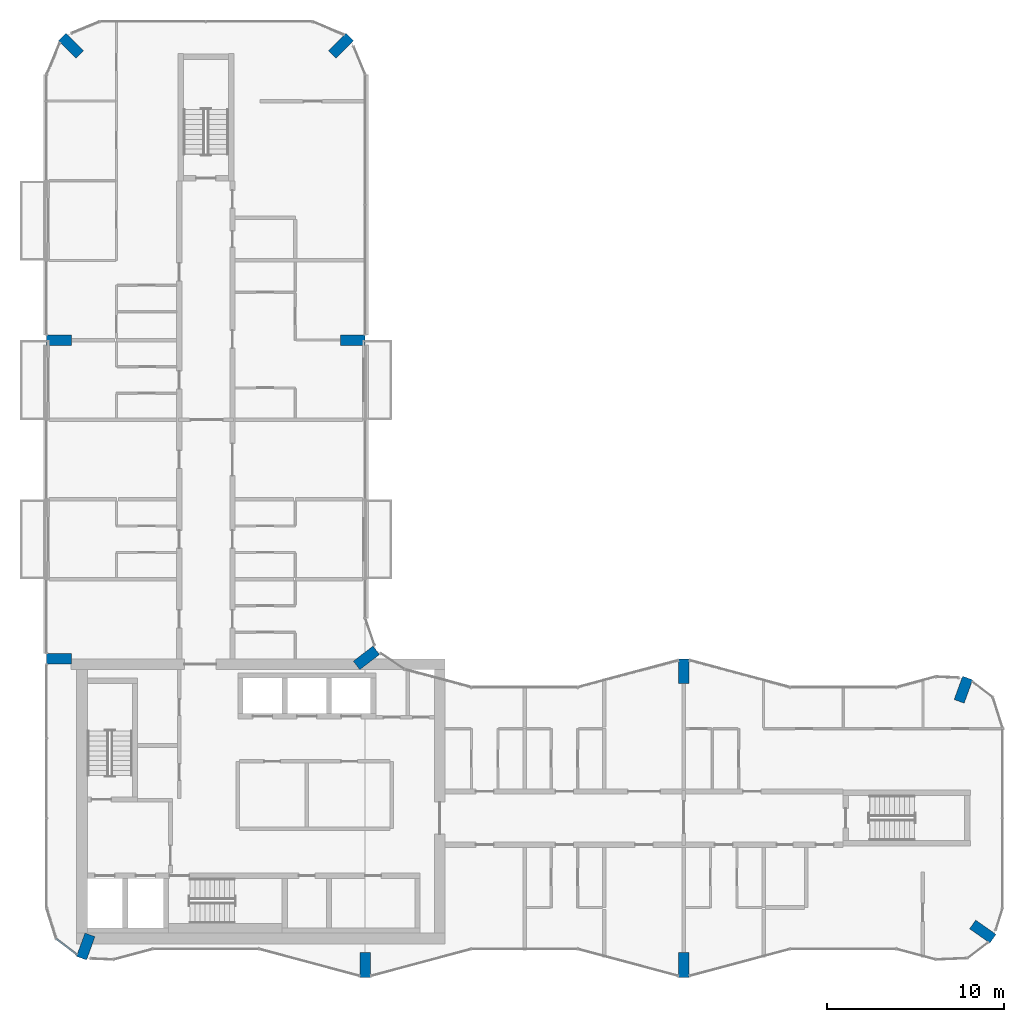
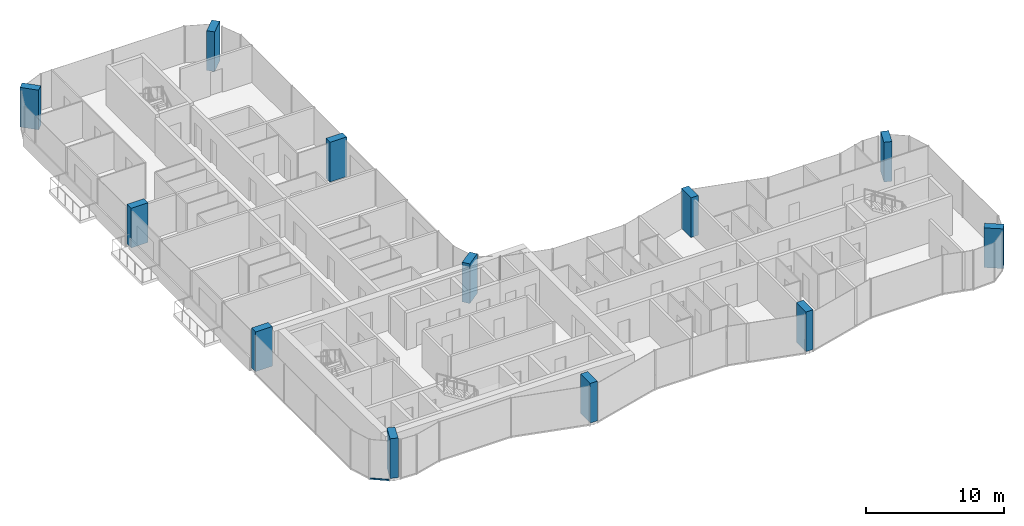
# One storey, part 1 of 16: 12 columns, 1 member, 1 element without a shape of its own.
"""IFC4 building model written with IfcOpenShell, lengths in metres."""

from ifc_helpers import new_model, si_unit, direction, frame, origin, origin_2d, place, context, subcontext, project, spatial, rectangle, extrude, material, layer, layer_set, material_profile, profile_set, type_object, element, aggregate, save


model = new_model("IFC4")

# Units and contexts
model_context = context("Model", 3, precision=1e-05, world=origin(), true_north=direction((0.0, 1.0)))
body_context = subcontext(model_context, "Body", "Model", "MODEL_VIEW")
ifc_project = project(units=[si_unit("LENGTHUNIT", "METRE"), si_unit("AREAUNIT", "SQUARE_METRE"), si_unit("VOLUMEUNIT", "CUBIC_METRE"), si_unit("PLANEANGLEUNIT", "RADIAN"), si_unit("MASSUNIT", "GRAM", prefix="KILO")], contexts=[model_context])

# Site, building, storey
site_placement = place(None, origin())
site = spatial("IfcSite", under=ifc_project, at=site_placement, CompositionType="ELEMENT")
building_placement = place(site_placement, origin())
building = spatial("IfcBuilding", under=site, at=building_placement, Name="Plateau Cross Towers", CompositionType="ELEMENT")
storey_placement = place(building_placement, frame((0.0, 0.0, 163.89990234375)))
storey = spatial("IfcBuildingStorey", under=building, at=storey_placement, Name="L42", CompositionType="ELEMENT", Elevation=163.89990234375)

# Columns
ifc_material_1 = material(Name="Concrete C60/75", Category="concrete")
ifc_material_profile_1 = material_profile(ifc_material_1, rectangle(XDim=0.60009765625, YDim=1.39990234375, at=origin_2d()), Name="RC 600x1400")
ifc_profile_set_1 = profile_set([ifc_material_profile_1], Name="Concrete C60/75")
column_type = type_object("IfcColumnType", Name="Fin pier column RC 600x1400", PredefinedType="COLUMN", material=ifc_profile_set_1)
for number, where, z_axis, x_axis, name in (
    (1, (18.0, 0.699951171875, 0.0), (0.0, 0.0, 1.0), (1.0, 0.0, 0.0), "PR1 L42"),
    (2, (36.0, 0.699951171875, 0.0), (0.0, 0.0, 1.0), (1.0, 0.0, 0.0), "PR2 L42"),
    (3, (52.884033203125, 2.590087890625, 0.0), (0.0, 0.0, 1.0), (0.573542637991, 0.819175709117, 0.0), "PR3 L42"),
    (4, (51.786865234375, 16.251953125, 0.0), (0.0, 0.0, 1.0), (-0.939664280925, 0.342097996418, 0.0), "PR4 L42"),
    (5, (36.0, 17.300048828125, 0.0), (0.0, 0.0, 1.0), (1.0, 0.0, 0.0), "PR5 L42"),
    (6, (18.064697265625, 18.049560546875, 0.0), (0.0, 0.0, 1.0), (-0.608810846443, 0.793315418515, 0.0), "PR6 L42"),
    (7, (17.300048828125, 36.0, 0.0), (0.0, 0.0, 1.0), (0.0, 1.0, 0.0), "PR7 L42"),
    (8, (16.62646484375, 52.62646484375, 0.0), (0.0, 0.0, 1.0), (-0.707106781187, 0.707106781187, 0.0), "PR8 L42"),
    (9, (1.37353515625, 52.62646484375, 0.0), (0.0, 0.0, 1.0), (0.707106781187, 0.707106781187, 0.0), "PR9 L42"),
    (10, (0.699951171875, 36.0, 0.0), (0.0, 0.0, 1.0), (0.0, 1.0, 0.0), "PR10 L42"),
    (11, (0.699951171875, 18.0, 0.0), (0.0, 0.0, 1.0), (0.0, 1.0, 0.0), "PR11 L42"),
    (12, (2.213134765625, 1.748046875, 0.0), (0.0, 0.0, 1.0), (-0.939664280925, 0.342097996418, 0.0), "PR12 L42"),
):
    element("IfcColumn", number, at=place(storey_placement, frame(where, z_axis=z_axis, x_axis=x_axis)), inside=storey, type_object=column_type, Name=name, PredefinedType="COLUMN", context=body_context, shape_type="SweptSolid", body=[
        extrude(rectangle(XDim=0.60009765625, YDim=1.39990234375, at=origin_2d()), origin(), (0.0, 0.0, 1.0), 3.5),
    ])

# Curtain wall, member
ifc_material_2 = material(Name="Dark low-iron glass", Category="glass")
ifc_layer = layer(ifc_material_2, 0.239990234375)
ifc_layer_set = layer_set([ifc_layer], Name="Dark low-iron glass")
curtain_wall_type = type_object("IfcCurtainWallType", Name="Curtain wall flush unitised CW-B", PredefinedType="NOTDEFINED", material=ifc_layer_set)
curtain_wall_placement = place(storey_placement, origin())
curtain_wall = element("IfcCurtainWall", 13, at=curtain_wall_placement, inside=storey, type_object=curtain_wall_type, Name="ENV/A/L42/A5_22", PredefinedType="NOTDEFINED")
ifc_material_3 = material(Name="Black anodised aluminium", Category="aluminium")
ifc_material_profile_2 = material_profile(ifc_material_3, rectangle(XDim=0.10009765625, YDim=0.1201171875, at=origin_2d()), Name="TRANSOM 100x120")
ifc_profile_set_2 = profile_set([ifc_material_profile_2], Name="Black anodised aluminium")
member_type = type_object("IfcMemberType", Name="Transom 100x120 flush unitised", PredefinedType="USERDEFINED", material=ifc_profile_set_2)
member_placement = place(storey_placement, frame((0.54248046875, 2.1884765625, -0.18994140625), z_axis=(0.793320508571, -0.608804213751, 0.0), x_axis=(0.608804213751, 0.793320508571, 0.0)))
member = element("IfcMember", 14, at=member_placement, type_object=member_type, Name="CW-B transom", ObjectType="TRANSOM", PredefinedType="USERDEFINED", context=body_context, shape_type="SweptSolid", body=[
    extrude(rectangle(XDim=0.10009765625, YDim=0.1201171875, at=origin_2d()), origin(), (0.0, 0.0, 1.0), 1.471435546875),
])
aggregate(curtain_wall, [member])

save(model, "model.ifc")
